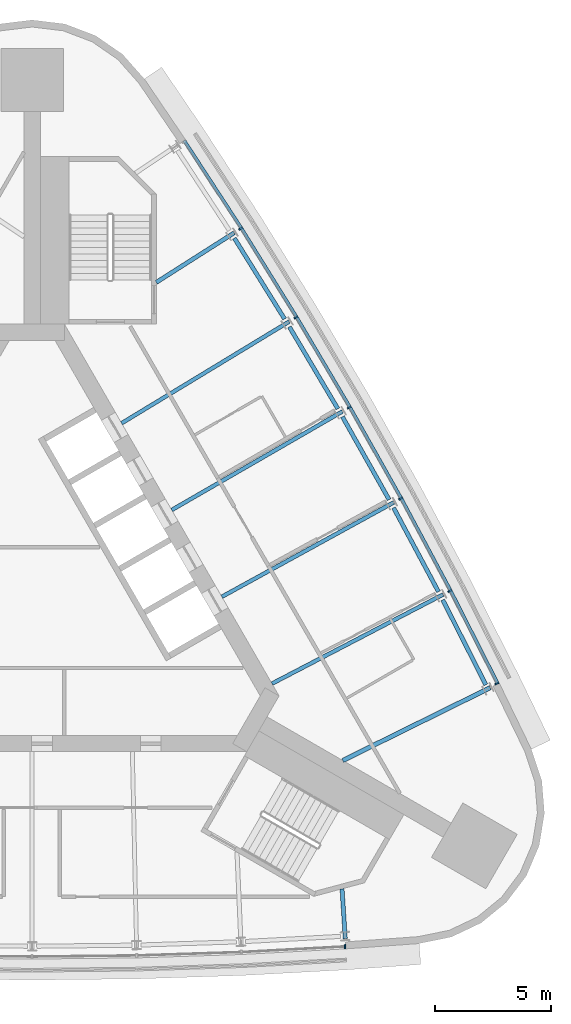
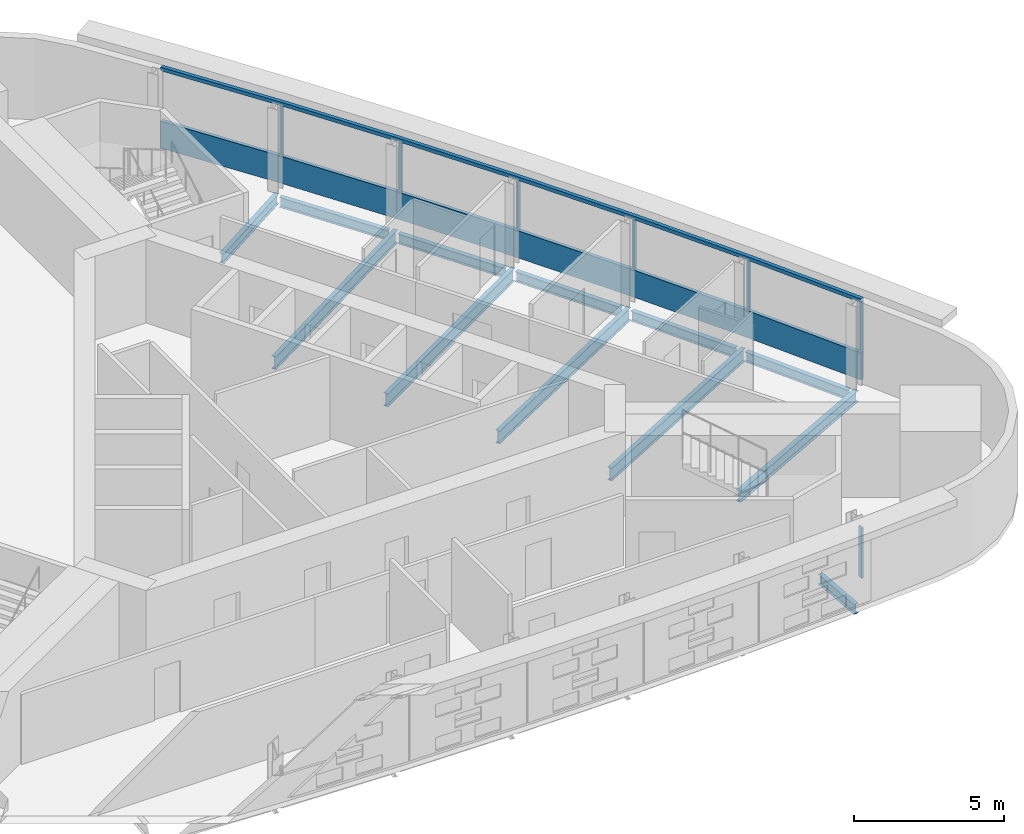
# One storey, part 4 of 10: 12 beams, 9 members, 2 elements without a shape of their own.
"""IFC4 building model written with IfcOpenShell, lengths in metres."""

from ifc_helpers import new_model, si_unit, direction, frame, origin, origin_2d, place, context, subcontext, project, spatial, polyline, rectangle, i_section, outline, extrude, material, material_profile, profile_set, type_object, element, aggregate, save


model = new_model("IFC4")

# Units and contexts
model_context = context("Model", 3, precision=1e-05, world=origin(), true_north=direction((0.0, 1.0)))
body_context = subcontext(model_context, "Body", "Model", "MODEL_VIEW")
ifc_project = project(units=[si_unit("LENGTHUNIT", "METRE"), si_unit("AREAUNIT", "SQUARE_METRE"), si_unit("VOLUMEUNIT", "CUBIC_METRE"), si_unit("PLANEANGLEUNIT", "RADIAN"), si_unit("MASSUNIT", "GRAM", prefix="KILO")], contexts=[model_context])

# Site, building, storey
site_placement = place(None, origin())
site = spatial("IfcSite", under=ifc_project, at=site_placement, CompositionType="ELEMENT")
building_placement = place(site_placement, origin())
building = spatial("IfcBuilding", under=site, at=building_placement, Name="Noor Cloister Tower", CompositionType="ELEMENT")
storey_placement = place(building_placement, frame((0.0, 0.0, 195.89990234375)))
storey = spatial("IfcBuildingStorey", under=building, at=storey_placement, Name="L50", CompositionType="ELEMENT", Elevation=195.89990234375)

# Curtain wall, member
ifc_material_1 = material(Name="Aluminium 6063-T6 anodised", Category="aluminium")
curtain_wall_type = type_object("IfcCurtainWallType", Name="Ribbon curtain wall, upper tower CW5", PredefinedType="NOTDEFINED", material=ifc_material_1)
curtain_wall_1_placement = place(storey_placement, origin())
curtain_wall_1 = element("IfcCurtainWall", 1, at=curtain_wall_1_placement, inside=storey, type_object=curtain_wall_type, Name="CW5 L50 NE run 3", PredefinedType="NOTDEFINED")
ifc_material_2 = material(Name="Aluminium 6063-T6 anodised", Category="aluminium")
member_type_1 = type_object("IfcMemberType", Name="Head transom CW5 150", PredefinedType="USERDEFINED", material=ifc_material_2)
member_1_placement = place(storey_placement, frame((0.0, 0.0, 3.150146484375)))
member_1 = element("IfcMember", 2, at=member_1_placement, type_object=member_type_1, Name="CW5 head transom", ObjectType="TRANSOM", PredefinedType="USERDEFINED", context=body_context, shape_type="SweptSolid", body=[
    extrude(outline(polyline([(20.085693359375, -3.98095703125), (18.0498046875, 0.031982421875), (15.927490234375, 4.0), (13.7197265625, 7.921142578125), (11.427734375, 11.79345703125), (9.052490234375, 15.615478515625), (6.59521484375, 19.38525390625), (6.477783203125, 19.308837890625), (8.934326171875, 15.540283203125), (11.30810546875, 11.720947265625), (13.598388671875, 7.85107421875), (15.8046875, 3.9326171875), (17.925537109375, -0.03271484375), (19.960693359375, -4.04443359375), (20.085693359375, -3.98095703125)])), origin(), (0.0, 0.0, 1.0), 0.14990234375),
])

curtain_wall_2_placement = place(storey_placement, origin())
curtain_wall_2 = element("IfcCurtainWall", 3, at=curtain_wall_2_placement, inside=storey, type_object=curtain_wall_type, Name="CW5 L50 S run 2", PredefinedType="NOTDEFINED")
ifc_material_3 = material(Name="Aluminium 6063-T6 anodised", Category="aluminium")
ifc_material_profile_1 = material_profile(ifc_material_3, rectangle(XDim=0.179931640625, YDim=0.070068359375, at=origin_2d()), Name="180 x 70 mullion")
ifc_profile_set_1 = profile_set([ifc_material_profile_1], Name="Aluminium 6063-T6 anodised")
member_type_2 = type_object("IfcMemberType", Name="Mullion CW5 70 x 180", PredefinedType="MULLION", material=ifc_profile_set_1)
member_2_placement = place(storey_placement, frame((13.4501953125, -15.30615234375, 1.10009765625), z_axis=(0.0, 0.0, 1.0), x_axis=(-0.054074316624, 0.99853691383, 0.0)))
member_2 = element("IfcMember", 4, at=member_2_placement, type_object=member_type_2, Name="CW5 mullion 7", PredefinedType="MULLION", context=body_context, shape_type="SweptSolid", body=[
    extrude(rectangle(XDim=0.179931640625, YDim=0.070068359375, at=origin_2d()), origin(), (0.0, 0.0, 1.0), 2.050048828125),
])
aggregate(curtain_wall_2, [member_2])

# Member
member_3_placement = place(storey_placement, frame((19.980712890625, -3.9951171875, 1.10009765625), z_axis=(0.0, 0.0, 1.0), x_axis=(-0.891795492306, -0.452438725026, 0.0)))
member_3 = element("IfcMember", 5, at=member_3_placement, type_object=member_type_2, Name="CW5 mullion 1", PredefinedType="MULLION", context=body_context, shape_type="SweptSolid", body=[
    extrude(rectangle(XDim=0.179931640625, YDim=0.070068359375, at=origin_2d()), origin(), (0.0, 0.0, 1.0), 2.050048828125),
])

member_4_placement = place(storey_placement, frame((17.9609375, -0.01416015625, 1.10009765625), z_axis=(0.0, 0.0, 1.0), x_axis=(-0.88684793719, -0.462061398845, 0.0)))
member_4 = element("IfcMember", 6, at=member_4_placement, type_object=member_type_2, Name="CW5 mullion 2", PredefinedType="MULLION", context=body_context, shape_type="SweptSolid", body=[
    extrude(rectangle(XDim=0.179931640625, YDim=0.070068359375, at=origin_2d()), origin(), (0.0, 0.0, 1.0), 2.050048828125),
])

member_5_placement = place(storey_placement, frame((15.83984375, 3.951904296875, 1.10009765625), z_axis=(0.0, 0.0, 1.0), x_axis=(-0.876641929033, -0.481143355208, 0.0)))
member_5 = element("IfcMember", 7, at=member_5_placement, type_object=member_type_2, Name="CW5 mullion 3", PredefinedType="MULLION", context=body_context, shape_type="SweptSolid", body=[
    extrude(rectangle(XDim=0.179931640625, YDim=0.070068359375, at=origin_2d()), origin(), (0.0, 0.0, 1.0), 2.050048828125),
])

member_6_placement = place(storey_placement, frame((13.633056640625, 7.87109375, 1.10009765625), z_axis=(0.0, 0.0, 1.0), x_axis=(-0.866025403784, -0.5, 0.0)))
member_6 = element("IfcMember", 8, at=member_6_placement, type_object=member_type_2, Name="CW5 mullion 4", PredefinedType="MULLION", context=body_context, shape_type="SweptSolid", body=[
    extrude(rectangle(XDim=0.179931640625, YDim=0.070068359375, at=origin_2d()), origin(), (0.0, 0.0, 1.0), 2.050048828125),
])

member_7_placement = place(storey_placement, frame((11.34228515625, 11.74169921875, 1.10009765625), z_axis=(0.0, 0.0, 1.0), x_axis=(-0.855003332989, -0.518622502961, 0.0)))
member_7 = element("IfcMember", 9, at=member_7_placement, type_object=member_type_2, Name="CW5 mullion 5", PredefinedType="MULLION", context=body_context, shape_type="SweptSolid", body=[
    extrude(rectangle(XDim=0.179931640625, YDim=0.070068359375, at=origin_2d()), origin(), (0.0, 0.0, 1.0), 2.050048828125),
])

member_8_placement = place(storey_placement, frame((8.96826171875, 15.561767578125, 1.10009765625), z_axis=(0.0, 0.0, 1.0), x_axis=(-0.843580878103, -0.537002143478, 0.0)))
member_8 = element("IfcMember", 10, at=member_8_placement, type_object=member_type_2, Name="CW5 mullion 6", PredefinedType="MULLION", context=body_context, shape_type="SweptSolid", body=[
    extrude(rectangle(XDim=0.179931640625, YDim=0.070068359375, at=origin_2d()), origin(), (0.0, 0.0, 1.0), 2.050048828125),
])

# Beams
ifc_material_4 = material(Name="Steel ASTM A992 Gr 50", Category="steel")
ifc_material_profile_2 = material_profile(ifc_material_4, i_section(OverallWidth=0.177978515625, OverallDepth=0.406005859375, WebThickness=0.0078125, FlangeThickness=0.0126953125, FilletRadius=0.01025390625, at=origin_2d()), Name="W410x60")
ifc_profile_set_2 = profile_set([ifc_material_profile_2], Name="Steel ASTM A992 Gr 50")
beam_type_1 = type_object("IfcBeamType", Name="Radial beam W410x60", PredefinedType="BEAM", material=ifc_profile_set_2)
beam_1_placement = place(storey_placement, frame((13.462158203125, -14.967041015625, -0.40283203125), z_axis=(-0.064860293262, 0.997894354307, 0.0), x_axis=(-0.997894354307, -0.064860293262, 0.0)))
element("IfcBeam", 11, at=beam_1_placement, inside=storey, type_object=beam_type_1, Name="Radial beam S 07 L50", PredefinedType="BEAM", context=body_context, shape_type="SweptSolid", body=[
    extrude(i_section(OverallWidth=0.177978515625, OverallDepth=0.406005859375, WebThickness=0.0078125, FlangeThickness=0.0126953125, FilletRadius=0.01025390625, at=origin_2d()), origin(), (0.0, 0.0, 1.0), 2.1494140625),
])
beam_2_placement = place(storey_placement, frame((8.68310546875, 15.38037109375, -0.40283203125), z_axis=(-0.84358294258, -0.53699890036, 0.0), x_axis=(0.53699890036, -0.84358294258, 0.0)))
element("IfcBeam", 12, at=beam_2_placement, inside=storey, type_object=beam_type_1, Name="Radial beam NE 06 L50", PredefinedType="BEAM", context=body_context, shape_type="SweptSolid", body=[
    extrude(i_section(OverallWidth=0.177978515625, OverallDepth=0.406005859375, WebThickness=0.0078125, FlangeThickness=0.0126953125, FilletRadius=0.01025390625, at=origin_2d()), origin(), (0.0, 0.0, 1.0), 3.968017578125),
])
ifc_material_5 = material(Name="Steel ASTM A992 Gr 50", Category="steel")
ifc_material_profile_3 = material_profile(ifc_material_5, i_section(OverallWidth=0.19091796875, OverallDepth=0.45703125, WebThickness=0.009033203125, FlangeThickness=0.014404296875, FilletRadius=0.01025390625, at=origin_2d()), Name="W460x74")
ifc_profile_set_3 = profile_set([ifc_material_profile_3], Name="Steel ASTM A992 Gr 50")
beam_type_2 = type_object("IfcBeamType", Name="Radial beam W460x74", PredefinedType="BEAM", material=ifc_profile_set_3)
beam_3_placement = place(storey_placement, frame((19.69287109375, -4.175048828125, -0.428466796875), z_axis=(-0.896639949022, -0.442760433889, 0.0), x_axis=(0.442760433889, -0.896639949022, 0.0)))
element("IfcBeam", 13, at=beam_3_placement, inside=storey, type_object=beam_type_2, Name="Radial beam NE 01 L50", PredefinedType="BEAM", context=body_context, shape_type="SweptSolid", body=[
    extrude(i_section(OverallWidth=0.19091796875, OverallDepth=0.45703125, WebThickness=0.009033203125, FlangeThickness=0.014404296875, FilletRadius=0.01025390625, at=origin_2d()), origin(), (0.0, 0.0, 1.0), 7.070068359375),
])
ifc_material_6 = material(Name="Steel ASTM A992 Gr 50", Category="steel")
ifc_material_profile_4 = material_profile(ifc_material_6, i_section(OverallWidth=0.166015625, OverallDepth=0.528076171875, WebThickness=0.009765625, FlangeThickness=0.013671875, FilletRadius=0.0126953125, at=origin_2d()), Name="W530x74")
ifc_profile_set_4 = profile_set([ifc_material_profile_4], Name="Steel ASTM A992 Gr 50")
beam_type_3 = type_object("IfcBeamType", Name="Radial beam W530x74", PredefinedType="BEAM", material=ifc_profile_set_4)
beam_4_placement = place(storey_placement, frame((17.661376953125, -0.17041015625, -0.4638671875), z_axis=(-0.886845699346, -0.462065693977, 0.0), x_axis=(0.462065693977, -0.886845699346, 0.0)))
element("IfcBeam", 14, at=beam_4_placement, inside=storey, type_object=beam_type_3, Name="Radial beam NE 02 L50", PredefinedType="BEAM", context=body_context, shape_type="SweptSolid", body=[
    extrude(i_section(OverallWidth=0.166015625, OverallDepth=0.528076171875, WebThickness=0.009765625, FlangeThickness=0.013671875, FilletRadius=0.0126953125, at=origin_2d()), origin(), (0.0, 0.0, 1.0), 8.28955078125),
])
beam_5_placement = place(storey_placement, frame((15.54345703125, 3.789306640625, -0.4638671875), z_axis=(-0.876636281192, -0.481153645416, 0.0), x_axis=(0.481153645416, -0.876636281192, 0.0)))
element("IfcBeam", 15, at=beam_5_placement, inside=storey, type_object=beam_type_3, Name="Radial beam NE 03 L50", PredefinedType="BEAM", context=body_context, shape_type="SweptSolid", body=[
    extrude(i_section(OverallWidth=0.166015625, OverallDepth=0.528076171875, WebThickness=0.009765625, FlangeThickness=0.013671875, FilletRadius=0.0126953125, at=origin_2d()), origin(), (0.0, 0.0, 1.0), 8.429443359375),
])
beam_6_placement = place(storey_placement, frame((13.34033203125, 7.7021484375, -0.4638671875), z_axis=(-0.866020579303, -0.500008356154, 0.0), x_axis=(0.500008356154, -0.866020579303, 0.0)))
element("IfcBeam", 16, at=beam_6_placement, inside=storey, type_object=beam_type_3, Name="Radial beam NE 04 L50", PredefinedType="BEAM", context=body_context, shape_type="SweptSolid", body=[
    extrude(i_section(OverallWidth=0.166015625, OverallDepth=0.528076171875, WebThickness=0.009765625, FlangeThickness=0.013671875, FilletRadius=0.0126953125, at=origin_2d()), origin(), (0.0, 0.0, 1.0), 8.475830078125),
])
beam_7_placement = place(storey_placement, frame((11.05322265625, 11.56640625, -0.4638671875), z_axis=(-0.855004033078, -0.51862134879, 0.0), x_axis=(0.51862134879, -0.855004033078, 0.0)))
element("IfcBeam", 17, at=beam_7_placement, inside=storey, type_object=beam_type_3, Name="Radial beam NE 05 L50", PredefinedType="BEAM", context=body_context, shape_type="SweptSolid", body=[
    extrude(i_section(OverallWidth=0.166015625, OverallDepth=0.528076171875, WebThickness=0.009765625, FlangeThickness=0.013671875, FilletRadius=0.0126953125, at=origin_2d()), origin(), (0.0, 0.0, 1.0), 8.42919921875),
])

# Member
ifc_material_7 = material(Name="Aluminium 6063-T6 anodised", Category="aluminium")
member_type_3 = type_object("IfcMemberType", Name="Sill transom CW5 1100", PredefinedType="USERDEFINED", material=ifc_material_7)
member_9_placement = place(storey_placement, origin())
member_9 = element("IfcMember", 18, at=member_9_placement, type_object=member_type_3, Name="CW5 sill transom", ObjectType="TRANSOM", PredefinedType="USERDEFINED", context=body_context, shape_type="SweptSolid", body=[
    extrude(outline(polyline([(20.085693359375, -3.98095703125), (18.0498046875, 0.031982421875), (15.927490234375, 4.0), (13.7197265625, 7.921142578125), (11.427734375, 11.79345703125), (9.052490234375, 15.615478515625), (6.59521484375, 19.38525390625), (6.477783203125, 19.308837890625), (8.934326171875, 15.540283203125), (11.30810546875, 11.720947265625), (13.598388671875, 7.85107421875), (15.8046875, 3.9326171875), (17.925537109375, -0.03271484375), (19.960693359375, -4.04443359375), (20.085693359375, -3.98095703125)])), origin(), (0.0, 0.0, 1.0), 1.10009765625),
])

aggregate(curtain_wall_1, [member_3, member_4, member_5, member_6, member_7, member_8, member_9, member_1])

# Beams
ifc_material_8 = material(Name="Steel ASTM A992 Gr 50", Category="steel")
ifc_material_profile_5 = material_profile(ifc_material_8, i_section(OverallWidth=0.177978515625, OverallDepth=0.406005859375, WebThickness=0.0078125, FlangeThickness=0.0126953125, FilletRadius=0.01025390625, at=origin_2d()), Name="W410x60")
ifc_profile_set_5 = profile_set([ifc_material_profile_5], Name="Steel ASTM A992 Gr 50")
beam_type_4 = type_object("IfcBeamType", Name="Spandrel beam W410x60", PredefinedType="SPANDREL", material=ifc_profile_set_5)
for number, where, z_axis, x_axis, name in (
    (19, (19.50341796875, -4.048828125, -0.40283203125), (-0.452453813184, 0.8917878374, 0.0), (-0.8917878374, -0.452453813184, 0.0), "Spandrel beam NE 01 L50"),
    (20, (17.468994140625, -0.048583984375, -0.40283203125), (-0.471637153949, 0.881792716581, 0.0), (-0.881792716581, -0.471637153949, 0.0), "Spandrel beam NE 02 L50"),
    (21, (15.3486328125, 3.906982421875, -0.40283203125), (-0.490612281957, 0.871377982734, 0.0), (-0.871377982734, -0.490612281957, 0.0), "Spandrel beam NE 03 L50"),
    (22, (13.14306640625, 7.815673828125, -0.40283203125), (-0.509329906975, 0.860571348501, 0.0), (-0.860571348501, -0.509329906975, 0.0), "Spandrel beam NE 04 L50"),
    (23, (10.853515625, 11.675537109375, -0.40283203125), (-0.527815540328, 0.8493590262, 0.0), (-0.8493590262, -0.527815540328, 0.0), "Spandrel beam NE 05 L50"),
):
    element("IfcBeam", number, at=place(storey_placement, frame(where, z_axis=z_axis, x_axis=x_axis)), inside=storey, type_object=beam_type_4, Name=name, PredefinedType="SPANDREL", context=body_context, shape_type="SweptSolid", body=[
        extrude(i_section(OverallWidth=0.177978515625, OverallDepth=0.406005859375, WebThickness=0.0078125, FlangeThickness=0.0126953125, FilletRadius=0.01025390625, at=origin_2d()), origin(), (0.0, 0.0, 1.0), 4.093994140625),
    ])

save(model, "model.ifc")
